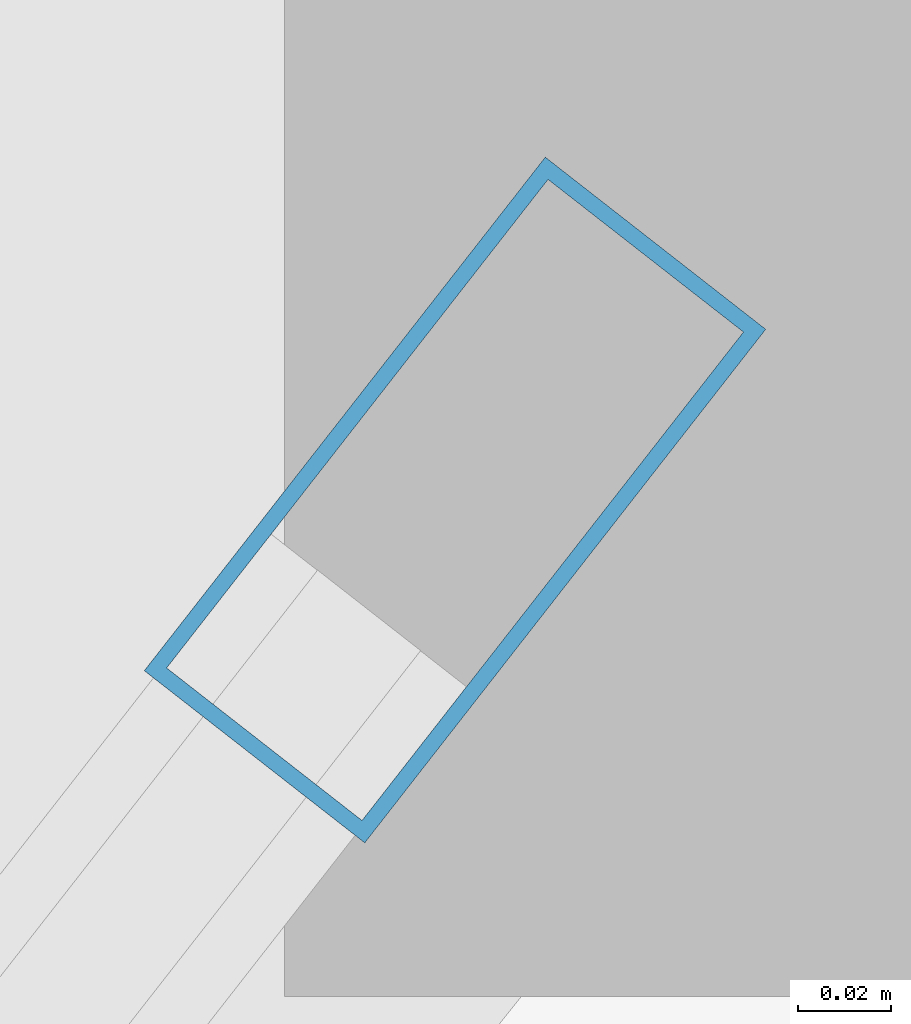
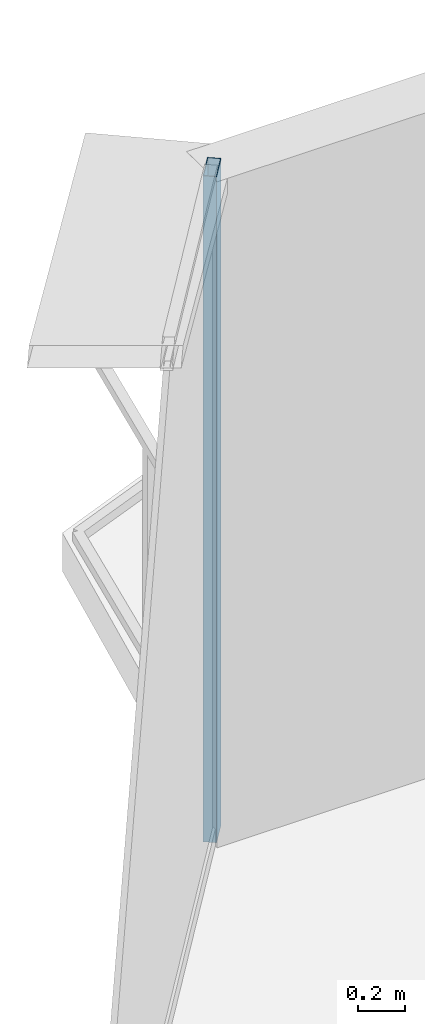
# One storey, part 21 of 37: 1 member, 1 element without a shape of its own.
"""IFC4 building model written with IfcOpenShell, lengths in metres."""

import ifcopenshell
import ifcopenshell.guid

model = None  # the IFC model being written
_history = None  # IfcOwnerHistory: only IFC2X3 demands one
_inside = {}  # id of a spatial element -> (the spatial element, [elements in it])
_under = {}  # id of a project, library or spatial element -> (it, [spatial elements below it])
_declared = {}  # id of a project -> (the project, [libraries it declares])
_typed = {}  # id of a type object -> (the type object, [elements of that type])
_made_of = {}  # id of a material, layer set ... -> (it, [elements and type objects made of it])


def new_model(schema):
    """Start an empty IFC model of exactly this schema.

    Asked for "IFC4X3", IfcOpenShell would pick the latest addendum, in which some entities
    have other attributes; the version numbers below select the first issue.
    IFC2X3 requires an IfcOwnerHistory on every rooted entity: one is made here for all.
    """
    global model, _history
    if schema == "IFC4X3":
        model = ifcopenshell.file(schema_version=(4, 3, 0, 0))
    else:
        model = ifcopenshell.file(schema=schema)
    _inside.clear()
    _under.clear()
    _declared.clear()
    _typed.clear()
    _made_of.clear()
    _history = None
    if model.schema == "IFC2X3":
        org = make("IfcOrganization", Name="unknown")
        user = make(
            "IfcPersonAndOrganization",
            ThePerson=make("IfcPerson", FamilyName="unknown"),
            TheOrganization=org,
        )
        app = make(
            "IfcApplication",
            ApplicationDeveloper=org,
            Version="unknown",
            ApplicationFullName="unknown",
            ApplicationIdentifier="unknown",
        )
        _history = make(
            "IfcOwnerHistory",
            OwningUser=user,
            OwningApplication=app,
            ChangeAction="ADDED",
            CreationDate=0,
        )
    return model


def make(cls, **values):
    """One entity of the class cls with the attributes given. An attribute that is None is left unset."""
    return model.create_entity(
        cls, **{name: value for name, value in values.items() if value is not None}
    )


def rooted(cls, **values):
    """An entity with a GlobalId (a new one), such as an element, a storey or a relation."""
    return make(cls, GlobalId=ifcopenshell.guid.new(), OwnerHistory=_history, **values)


def si_unit(unit_type, name, prefix=None):
    """IfcSIUnit, for example si_unit("LENGTHUNIT", "METRE", prefix="MILLI")."""
    return make("IfcSIUnit", UnitType=unit_type, Prefix=prefix, Name=name)


def assignment(units):
    """IfcUnitAssignment: the units of a project."""
    return None if units is None else make("IfcUnitAssignment", Units=units)


def point(xyz):
    """IfcCartesianPoint."""
    return None if xyz is None else make("IfcCartesianPoint", Coordinates=xyz)


def direction(xyz):
    """IfcDirection."""
    return None if xyz is None else make("IfcDirection", DirectionRatios=xyz)


def frame(location, z_axis=None, x_axis=None):
    """IfcAxis2Placement3D, a coordinate frame: its origin and axes. An axis left out is left unset."""
    return make(
        "IfcAxis2Placement3D",
        Location=point(location),
        Axis=direction(z_axis),
        RefDirection=direction(x_axis),
    )


def frame_2d(location, x_axis=None):
    """IfcAxis2Placement2D, a coordinate frame in the plane: its origin and x axis."""
    return make(
        "IfcAxis2Placement2D", Location=point(location), RefDirection=direction(x_axis)
    )


def origin():
    """The frame at (0, 0, 0) with its axes left unset."""
    return frame((0.0, 0.0, 0.0))


def origin_2d():
    """The frame at (0, 0) in the plane with its x axis left unset."""
    return frame_2d((0.0, 0.0))


def place(relative_to, where):
    """IfcLocalPlacement: puts the frame where relative to a parent placement (None: the world)."""
    return make(
        "IfcLocalPlacement", PlacementRelTo=relative_to, RelativePlacement=where
    )


def context(
    kind, dimensions, precision=None, world=None, true_north=None, identifier=None
):
    """IfcGeometricRepresentationContext, for example the 3D "Model" context."""
    return make(
        "IfcGeometricRepresentationContext",
        ContextIdentifier=identifier,
        ContextType=kind,
        CoordinateSpaceDimension=dimensions,
        Precision=precision,
        WorldCoordinateSystem=world,
        TrueNorth=true_north,
    )


def subcontext(parent, identifier, kind, view, scale=None):
    """IfcGeometricRepresentationSubContext, for example "Body" below "Model"."""
    return make(
        "IfcGeometricRepresentationSubContext",
        ContextIdentifier=identifier,
        ContextType=kind,
        ParentContext=parent,
        TargetScale=scale,
        TargetView=view,
    )


def project(units=None, contexts=None):
    """IfcProject with its units and contexts."""
    return rooted(
        "IfcProject",
        Name="project",
        RepresentationContexts=contexts,
        UnitsInContext=assignment(units),
    )


def spatial(cls, under=None, at=None, **own):
    """A site, building, storey or space (cls), placed at a placement, below another one or the project."""
    s = rooted(cls, ObjectPlacement=at, **own)
    if under is not None:
        _under.setdefault(under.id(), (under, []))[1].append(s)
    return s


def profile(cls, at=None, kind="AREA", **sizes):
    """A parametric profile (cls). Its sizes go by their IFC names, for example OverallWidth=200.0."""
    return make(cls, ProfileType=kind, Position=at, **sizes)


def hollow_rectangle(**sizes):
    """IfcRectangleHollowProfileDef."""
    return profile("IfcRectangleHollowProfileDef", **sizes)


def extrude(swept, where, along, depth):
    """IfcExtrudedAreaSolid: the profile swept, set in the frame where, extruded along a direction by depth."""
    return make(
        "IfcExtrudedAreaSolid",
        SweptArea=swept,
        Position=where,
        ExtrudedDirection=direction(along),
        Depth=depth,
    )


def shape(context_of_items, identifier, shape_type, items):
    """IfcShapeRepresentation: the items that make up one representation, for example the "Body"."""
    return make(
        "IfcShapeRepresentation",
        ContextOfItems=context_of_items,
        RepresentationIdentifier=identifier,
        RepresentationType=shape_type,
        Items=items,
    )


def source(mapping_origin, context_of_items, identifier, shape_type, items):
    """IfcRepresentationMap: a shape defined once, which mapped items show again and again."""
    return make(
        "IfcRepresentationMap",
        MappingOrigin=mapping_origin,
        MappedRepresentation=shape(context_of_items, identifier, shape_type, items),
    )


def transform(
    local_origin,
    x_axis=None,
    y_axis=None,
    z_axis=None,
    scale=None,
    scale2=None,
    scale3=None,
    uniform=True,
):
    """IfcCartesianTransformationOperator3D, or its non-uniform kind. x_axis, y_axis, z_axis: its Axis1, 2, 3."""
    if uniform:
        return make(
            "IfcCartesianTransformationOperator3D",
            Axis1=direction(x_axis),
            Axis2=direction(y_axis),
            LocalOrigin=point(local_origin),
            Scale=scale,
            Axis3=direction(z_axis),
        )
    return make(
        "IfcCartesianTransformationOperator3DnonUniform",
        Axis1=direction(x_axis),
        Axis2=direction(y_axis),
        LocalOrigin=point(local_origin),
        Scale=scale,
        Axis3=direction(z_axis),
        Scale2=scale2,
        Scale3=scale3,
    )


def mapped(mapping_source, mapping_target):
    """IfcMappedItem: shows the shape of a source again, moved by a transform."""
    return make(
        "IfcMappedItem", MappingSource=mapping_source, MappingTarget=mapping_target
    )


def material(Name=None, Category=None):
    """IfcMaterial."""
    return make("IfcMaterial", Name=Name, Category=Category)


def layer(
    of_material, thickness, ventilated=None, Name=None, Category=None, Priority=None
):
    """IfcMaterialLayer: one layer of a wall or slab, of a material (None: an air gap)."""
    return make(
        "IfcMaterialLayer",
        Material=of_material,
        LayerThickness=thickness,
        IsVentilated=ventilated,
        Name=Name,
        Category=Category,
        Priority=Priority,
    )


def layer_set(layers, Name=None):
    """IfcMaterialLayerSet."""
    return make("IfcMaterialLayerSet", MaterialLayers=layers, LayerSetName=Name)


def material_profile(
    of_material, cross_section, Name=None, Category=None, Priority=None
):
    """IfcMaterialProfile: a cross section and its material."""
    return make(
        "IfcMaterialProfile",
        Name=Name,
        Material=of_material,
        Profile=cross_section,
        Priority=Priority,
        Category=Category,
    )


def profile_set(profiles, Name=None, composite=None):
    """IfcMaterialProfileSet."""
    return make(
        "IfcMaterialProfileSet",
        Name=Name,
        MaterialProfiles=profiles,
        CompositeProfile=composite,
    )


def made_of(thing, what):
    """Note that an element or type object is made of a material, layer set ...; save() writes the relation."""
    if what is not None:
        _made_of.setdefault(what.id(), (what, []))[1].append(thing)
    return thing


def type_object(cls, material=None, **own):
    """A type object (cls), such as IfcWallType, which elements share."""
    return made_of(rooted(cls, **own), material)


def element(
    cls,
    number,
    at=None,
    inside=None,
    cuts=None,
    type_object=None,
    material=None,
    context=None,
    identifier="Body",
    shape_type=None,
    held_by="IfcProductDefinitionShape",
    body=None,
    shapes=None,
    **own,
):
    """One element of the class cls, such as IfcWall. Its Tag is "e" and its number.

    at: its placement. inside: the storey or other place that contains it. cuts: it is an
    opening in that element (IfcRelVoidsElement). A single representation is given by context,
    identifier, shape_type and body (its items); several are given by shapes. held_by: the class
    of the entity that holds the representations. save() writes the other relations.
    """
    e = rooted(cls, Tag="e%d" % number, ObjectPlacement=at, **own)
    if body is not None:
        shapes = [shape(context, identifier, shape_type, body)]
    if shapes is not None:
        e.Representation = make(held_by, Representations=shapes)
    if inside is not None:
        _inside.setdefault(inside.id(), (inside, []))[1].append(e)
    if cuts is not None:
        rooted(
            "IfcRelVoidsElement", RelatingBuildingElement=cuts, RelatedOpeningElement=e
        )
    if type_object is not None:
        _typed.setdefault(type_object.id(), (type_object, []))[1].append(e)
    return made_of(e, material)


def aggregate(whole, parts):
    """IfcRelAggregates: a whole, such as a stair, and the parts it consists of."""
    return rooted("IfcRelAggregates", RelatingObject=whole, RelatedObjects=parts)


def save(model, path):
    """Write the relations noted so far, then the file.

    IfcRelAggregates (storeys below a building ...), IfcRelContainedInSpatialStructure (elements
    in a storey), IfcRelDefinesByType, IfcRelAssociatesMaterial and IfcRelDeclares: one each for
    every whole, place, type object, material and project.
    """
    for whole, parts in _under.values():
        aggregate(whole, parts)
    for where, things in _inside.values():
        rooted(
            "IfcRelContainedInSpatialStructure",
            RelatedElements=things,
            RelatingStructure=where,
        )
    for kind, things in _typed.values():
        rooted("IfcRelDefinesByType", RelatedObjects=things, RelatingType=kind)
    for what, things in _made_of.values():
        rooted("IfcRelAssociatesMaterial", RelatedObjects=things, RelatingMaterial=what)
    for by, libraries in _declared.values():
        rooted("IfcRelDeclares", RelatingContext=by, RelatedDefinitions=libraries)
    model.write(path)


model = new_model("IFC4")

# Units and contexts
model_context = context("Model", 3, precision=1e-05, world=origin(), true_north=direction((0.0, 1.0)))
body_context = subcontext(model_context, "Body", "Model", "MODEL_VIEW")
ifc_project = project(units=[si_unit("LENGTHUNIT", "METRE"), si_unit("AREAUNIT", "SQUARE_METRE"), si_unit("VOLUMEUNIT", "CUBIC_METRE"), si_unit("PLANEANGLEUNIT", "RADIAN"), si_unit("MASSUNIT", "GRAM", prefix="KILO"), si_unit("THERMODYNAMICTEMPERATUREUNIT", "KELVIN"), si_unit("POWERUNIT", "WATT")], contexts=[model_context])

# Site, building, storey
site_placement = place(None, origin())
site = spatial("IfcSite", under=ifc_project, at=site_placement, CompositionType="ELEMENT")
building_placement = place(site_placement, origin())
building = spatial("IfcBuilding", under=site, at=building_placement, Name="Yunzhuo Pagoda Commons", CompositionType="ELEMENT")
storey_placement = place(building_placement, frame((0.0, 0.0, 251.989990234375)))
storey = spatial("IfcBuildingStorey", under=building, at=storey_placement, Name="L63", CompositionType="ELEMENT", Elevation=251.989990234375)

# Curtain wall, member
ifc_material = material(Name="Anodized aluminium 6063-T6", Category="aluminium")
ifc_layer = layer(ifc_material, 0.139892578125)
ifc_layer_set = layer_set([ifc_layer], Name="Anodized aluminium 6063-T6")
curtain_wall_type = type_object("IfcCurtainWallType", Name="CW-HI High-Zone Ribbon Curtain Wall", PredefinedType="NOTDEFINED", material=ifc_layer_set)
curtain_wall_placement = place(storey_placement, origin())
curtain_wall = element("IfcCurtainWall", 1, at=curtain_wall_placement, inside=storey, type_object=curtain_wall_type, Name="L63 curtain wall CW-L63-F3B1", PredefinedType="NOTDEFINED")
ifc_material_profile = material_profile(ifc_material, hollow_rectangle(XDim=0.06005859375, YDim=0.139892578125, WallThickness=0.00341796875, at=origin_2d()), Name="Anodized aluminium 6063-T6")
ifc_profile_set = profile_set([ifc_material_profile], Name="Anodized aluminium 6063-T6")
member_type = type_object("IfcMemberType", Name="CW-HI-M Mullion RHS 140x60x3.5", PredefinedType="MULLION", material=ifc_profile_set)
shared_shape = source(origin(), body_context, "Body", "SweptSolid", [
    extrude(hollow_rectangle(XDim=0.06005859375, YDim=0.139892578125, WallThickness=0.00341796875, at=origin_2d()), origin(), (0.0, 0.0, 1.0), 3.469970703125),
])
member_placement = place(storey_placement, frame((44.210205078125, 78.773681640625, 0.0), z_axis=(0.0, 0.0, 1.0), x_axis=(0.788189580024, -0.615432519405, 0.0)))
member = element("IfcMember", 2, at=member_placement, type_object=member_type, Name="CW mullion 1", PredefinedType="MULLION", context=body_context, shape_type="MappedRepresentation", body=[
    mapped(shared_shape, transform((0.0, 0.0, 0.0), scale=1.0)),
])
aggregate(curtain_wall, [member])

save(model, "model.ifc")
